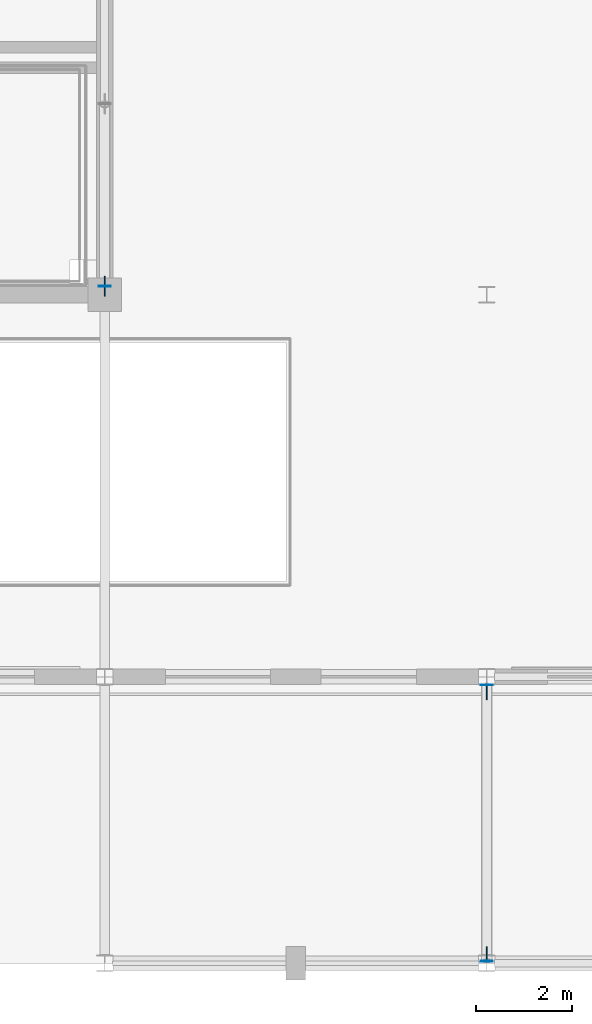
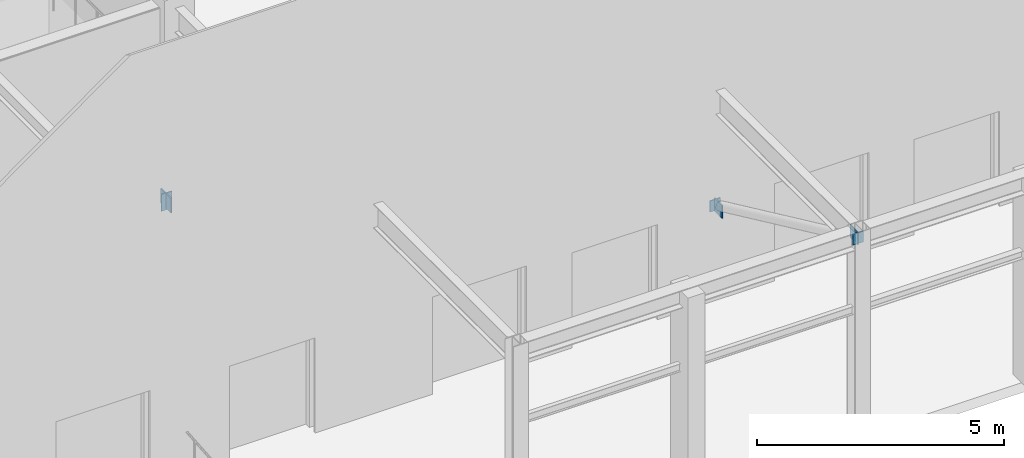
# One storey, part 68 of 119: 6 plates.
"""IFC4 building model written with IfcOpenShell, lengths in metres."""

from ifc_helpers import new_model, si_unit, direction, frame, origin, origin_2d, place, context, subcontext, project, spatial, rectangle, extrude, material, layer, layer_set, type_object, element, save


model = new_model("IFC4")

# Units and contexts
model_context = context("Model", 3, precision=1e-05, world=origin(), true_north=direction((0.0, 1.0)))
body_context = subcontext(model_context, "Body", "Model", "MODEL_VIEW")
ifc_project = project(units=[si_unit("LENGTHUNIT", "METRE"), si_unit("AREAUNIT", "SQUARE_METRE"), si_unit("VOLUMEUNIT", "CUBIC_METRE"), si_unit("PLANEANGLEUNIT", "RADIAN"), si_unit("MASSUNIT", "GRAM", prefix="KILO")], contexts=[model_context])

# Site, building, storey
site_placement = place(None, origin())
site = spatial("IfcSite", under=ifc_project, at=site_placement, CompositionType="ELEMENT")
building_placement = place(site_placement, origin())
building = spatial("IfcBuilding", under=site, at=building_placement, Name="Zhaolan Boulevard Law Courts", CompositionType="ELEMENT")
storey_placement = place(building_placement, origin())
storey = spatial("IfcBuildingStorey", under=building, at=storey_placement, Name="L00", CompositionType="ELEMENT", Elevation=0.0)

# Plates
ifc_material_1 = material(Name="Structural steel Q355B", Category="steel")
ifc_layer_1 = layer(ifc_material_1, 0.02392578125)
ifc_layer_set_1 = layer_set([ifc_layer_1])
plate_type_1 = type_object("IfcPlateType", Name="BRACE GUSSET PLATE 24", PredefinedType="SHEET", material=ifc_layer_set_1)
for number, where, z_axis, x_axis, name in (
    (1, (52.0, 5.679931640625, 2.0400390625), (0.0, 0.0, 1.0), (1.0, 0.0, 0.0), "Canopy Brace End Gusset GP-CT7-1"),
    (2, (52.0, 0.18994140625, 4.7177734375), (0.0, 0.0, 1.0), (1.0, 0.0, 0.0), "Canopy Brace End Gusset GP-CT7-2"),
):
    element("IfcPlate", number, at=place(storey_placement, frame(where, z_axis=z_axis, x_axis=x_axis)), inside=storey, type_object=plate_type_1, Name=name, PredefinedType="SHEET", context=body_context, shape_type="SweptSolid", body=[
        extrude(rectangle(XDim=0.02392578125, YDim=0.320068359375, at=origin_2d()), origin(), (0.0, 0.0, 1.0), 0.320068359375),
    ])
plate_1_placement = place(storey_placement, frame((44.0, 14.179931640625, -0.14990234375), z_axis=(0.0, 0.0, 1.0), x_axis=(0.0, 1.0, 0.0)))
element("IfcPlate", 3, at=plate_1_placement, inside=storey, type_object=plate_type_1, Name="Brace Gusset Connection Plate GP-P1-L00-EA1", PredefinedType="SHEET", context=body_context, shape_type="SweptSolid", body=[
    extrude(rectangle(XDim=0.419921875, YDim=0.02392578125, at=origin_2d()), origin(), (0.0, 0.0, 1.0), 0.360107421875),
])
ifc_material_2 = material(Name="Structural steel Q355B", Category="steel")
ifc_layer_2 = layer(ifc_material_2, 0.02001953125)
ifc_layer_set_2 = layer_set([ifc_layer_2])
plate_type_2 = type_object("IfcPlateType", Name="END CAP PLATE 20", PredefinedType="SHEET", material=ifc_layer_set_2)
for number, where, z_axis, x_axis, name in (
    (4, (52.0, 5.827392578125, 2.05908203125), (0.0, 0.0, 1.0), (0.0, -1.0, 0.0), "Hollow Section End-Cap Plate ECP-1039"),
    (5, (52.0, 0.042724609375, 4.743896484375), (0.0, 0.0, 1.0), (0.0, -1.0, 0.0), "Hollow Section End-Cap Plate ECP-1040"),
):
    element("IfcPlate", number, at=place(storey_placement, frame(where, z_axis=z_axis, x_axis=x_axis)), inside=storey, type_object=plate_type_2, Name=name, PredefinedType="SHEET", context=body_context, shape_type="SweptSolid", body=[
        extrude(rectangle(XDim=0.02001953125, YDim=0.2490234375, at=origin_2d()), origin(), (0.0, 0.0, 1.0), 0.27490234375),
    ])
plate_2_placement = place(storey_placement, frame((44.0, 14.17529296875, -0.183837890625), z_axis=(0.0, 0.0, 1.0), x_axis=(0.0, 1.0, 0.0)))
element("IfcPlate", 6, at=plate_2_placement, inside=storey, type_object=plate_type_2, Name="Hollow Section End-Cap Plate ECP-1235", PredefinedType="SHEET", context=body_context, shape_type="SweptSolid", body=[
    extrude(rectangle(XDim=0.02001953125, YDim=0.2490234375, at=origin_2d()), origin(), (0.0, 0.0, 1.0), 0.4150390625),
])

save(model, "model.ifc")
